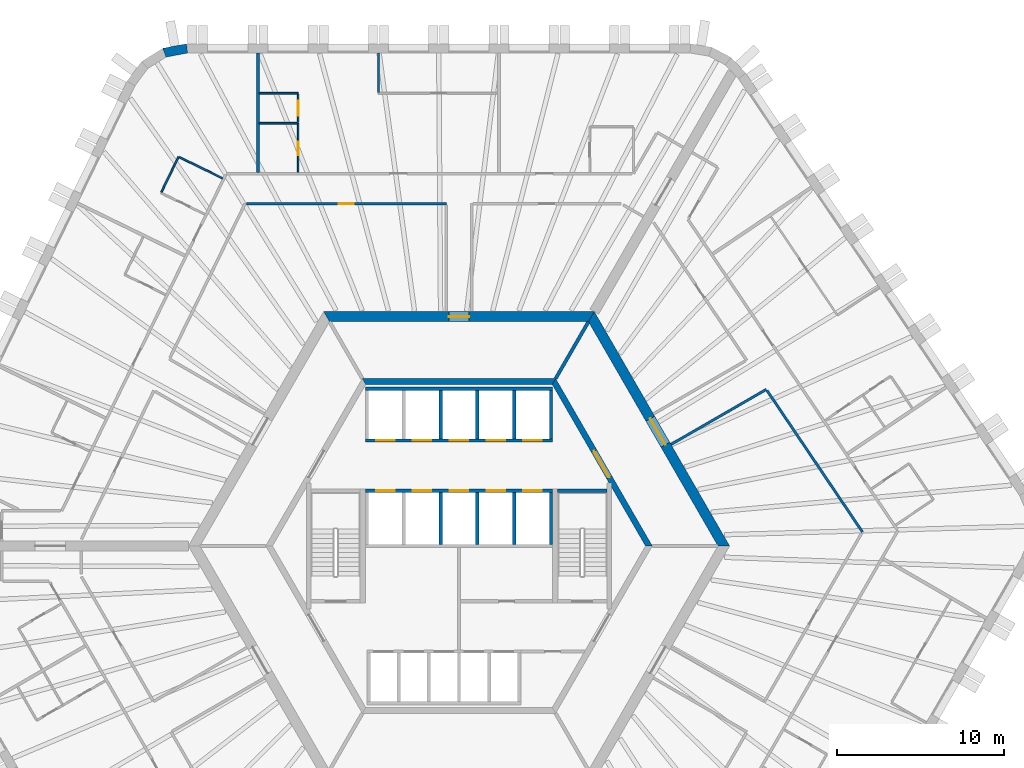
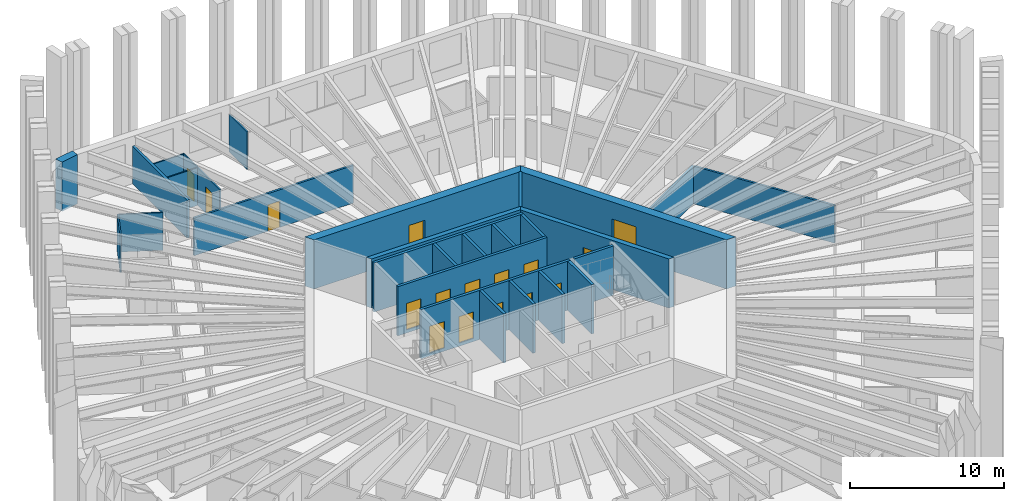
# One storey, part 8 of 12: 29 walls, 16 doors, 16 openings.
"""IFC4 building model written with IfcOpenShell, lengths in metres."""

import ifcopenshell
import ifcopenshell.guid

model = None  # the IFC model being written
_history = None  # IfcOwnerHistory: only IFC2X3 demands one
_inside = {}  # id of a spatial element -> (the spatial element, [elements in it])
_under = {}  # id of a project, library or spatial element -> (it, [spatial elements below it])
_declared = {}  # id of a project -> (the project, [libraries it declares])
_typed = {}  # id of a type object -> (the type object, [elements of that type])
_made_of = {}  # id of a material, layer set ... -> (it, [elements and type objects made of it])


def new_model(schema):
    """Start an empty IFC model of exactly this schema.

    Asked for "IFC4X3", IfcOpenShell would pick the latest addendum, in which some entities
    have other attributes; the version numbers below select the first issue.
    IFC2X3 requires an IfcOwnerHistory on every rooted entity: one is made here for all.
    """
    global model, _history
    if schema == "IFC4X3":
        model = ifcopenshell.file(schema_version=(4, 3, 0, 0))
    else:
        model = ifcopenshell.file(schema=schema)
    _inside.clear()
    _under.clear()
    _declared.clear()
    _typed.clear()
    _made_of.clear()
    _history = None
    if model.schema == "IFC2X3":
        org = make("IfcOrganization", Name="unknown")
        user = make(
            "IfcPersonAndOrganization",
            ThePerson=make("IfcPerson", FamilyName="unknown"),
            TheOrganization=org,
        )
        app = make(
            "IfcApplication",
            ApplicationDeveloper=org,
            Version="unknown",
            ApplicationFullName="unknown",
            ApplicationIdentifier="unknown",
        )
        _history = make(
            "IfcOwnerHistory",
            OwningUser=user,
            OwningApplication=app,
            ChangeAction="ADDED",
            CreationDate=0,
        )
    return model


def make(cls, **values):
    """One entity of the class cls with the attributes given. An attribute that is None is left unset."""
    return model.create_entity(
        cls, **{name: value for name, value in values.items() if value is not None}
    )


def rooted(cls, **values):
    """An entity with a GlobalId (a new one), such as an element, a storey or a relation."""
    return make(cls, GlobalId=ifcopenshell.guid.new(), OwnerHistory=_history, **values)


def si_unit(unit_type, name, prefix=None):
    """IfcSIUnit, for example si_unit("LENGTHUNIT", "METRE", prefix="MILLI")."""
    return make("IfcSIUnit", UnitType=unit_type, Prefix=prefix, Name=name)


def assignment(units):
    """IfcUnitAssignment: the units of a project."""
    return None if units is None else make("IfcUnitAssignment", Units=units)


def point(xyz):
    """IfcCartesianPoint."""
    return None if xyz is None else make("IfcCartesianPoint", Coordinates=xyz)


def direction(xyz):
    """IfcDirection."""
    return None if xyz is None else make("IfcDirection", DirectionRatios=xyz)


def frame(location, z_axis=None, x_axis=None):
    """IfcAxis2Placement3D, a coordinate frame: its origin and axes. An axis left out is left unset."""
    return make(
        "IfcAxis2Placement3D",
        Location=point(location),
        Axis=direction(z_axis),
        RefDirection=direction(x_axis),
    )


def frame_2d(location, x_axis=None):
    """IfcAxis2Placement2D, a coordinate frame in the plane: its origin and x axis."""
    return make(
        "IfcAxis2Placement2D", Location=point(location), RefDirection=direction(x_axis)
    )


def origin():
    """The frame at (0, 0, 0) with its axes left unset."""
    return frame((0.0, 0.0, 0.0))


def place(relative_to, where):
    """IfcLocalPlacement: puts the frame where relative to a parent placement (None: the world)."""
    return make(
        "IfcLocalPlacement", PlacementRelTo=relative_to, RelativePlacement=where
    )


def context(
    kind, dimensions, precision=None, world=None, true_north=None, identifier=None
):
    """IfcGeometricRepresentationContext, for example the 3D "Model" context."""
    return make(
        "IfcGeometricRepresentationContext",
        ContextIdentifier=identifier,
        ContextType=kind,
        CoordinateSpaceDimension=dimensions,
        Precision=precision,
        WorldCoordinateSystem=world,
        TrueNorth=true_north,
    )


def subcontext(parent, identifier, kind, view, scale=None):
    """IfcGeometricRepresentationSubContext, for example "Body" below "Model"."""
    return make(
        "IfcGeometricRepresentationSubContext",
        ContextIdentifier=identifier,
        ContextType=kind,
        ParentContext=parent,
        TargetScale=scale,
        TargetView=view,
    )


def project(units=None, contexts=None):
    """IfcProject with its units and contexts."""
    return rooted(
        "IfcProject",
        Name="project",
        RepresentationContexts=contexts,
        UnitsInContext=assignment(units),
    )


def spatial(cls, under=None, at=None, **own):
    """A site, building, storey or space (cls), placed at a placement, below another one or the project."""
    s = rooted(cls, ObjectPlacement=at, **own)
    if under is not None:
        _under.setdefault(under.id(), (under, []))[1].append(s)
    return s


def polyline(points):
    """IfcPolyline through the points."""
    return make("IfcPolyline", Points=[point(p) for p in points])


def profile(cls, at=None, kind="AREA", **sizes):
    """A parametric profile (cls). Its sizes go by their IFC names, for example OverallWidth=200.0."""
    return make(cls, ProfileType=kind, Position=at, **sizes)


def rectangle(**sizes):
    """IfcRectangleProfileDef."""
    return profile("IfcRectangleProfileDef", **sizes)


def outline(outer, holes=None, kind="AREA"):
    """IfcArbitraryClosedProfileDef: a profile drawn as a closed curve; with holes, ...WithVoids."""
    if holes is None:
        return make("IfcArbitraryClosedProfileDef", ProfileType=kind, OuterCurve=outer)
    return make(
        "IfcArbitraryProfileDefWithVoids",
        ProfileType=kind,
        OuterCurve=outer,
        InnerCurves=holes,
    )


def extrude(swept, where, along, depth):
    """IfcExtrudedAreaSolid: the profile swept, set in the frame where, extruded along a direction by depth."""
    return make(
        "IfcExtrudedAreaSolid",
        SweptArea=swept,
        Position=where,
        ExtrudedDirection=direction(along),
        Depth=depth,
    )


def shape(context_of_items, identifier, shape_type, items):
    """IfcShapeRepresentation: the items that make up one representation, for example the "Body"."""
    return make(
        "IfcShapeRepresentation",
        ContextOfItems=context_of_items,
        RepresentationIdentifier=identifier,
        RepresentationType=shape_type,
        Items=items,
    )


def material(Name=None, Category=None):
    """IfcMaterial."""
    return make("IfcMaterial", Name=Name, Category=Category)


def layer(
    of_material, thickness, ventilated=None, Name=None, Category=None, Priority=None
):
    """IfcMaterialLayer: one layer of a wall or slab, of a material (None: an air gap)."""
    return make(
        "IfcMaterialLayer",
        Material=of_material,
        LayerThickness=thickness,
        IsVentilated=ventilated,
        Name=Name,
        Category=Category,
        Priority=Priority,
    )


def layer_set(layers, Name=None):
    """IfcMaterialLayerSet."""
    return make("IfcMaterialLayerSet", MaterialLayers=layers, LayerSetName=Name)


def made_of(thing, what):
    """Note that an element or type object is made of a material, layer set ...; save() writes the relation."""
    if what is not None:
        _made_of.setdefault(what.id(), (what, []))[1].append(thing)
    return thing


def type_object(cls, material=None, **own):
    """A type object (cls), such as IfcWallType, which elements share."""
    return made_of(rooted(cls, **own), material)


def element(
    cls,
    number,
    at=None,
    inside=None,
    cuts=None,
    type_object=None,
    material=None,
    context=None,
    identifier="Body",
    shape_type=None,
    held_by="IfcProductDefinitionShape",
    body=None,
    shapes=None,
    **own,
):
    """One element of the class cls, such as IfcWall. Its Tag is "e" and its number.

    at: its placement. inside: the storey or other place that contains it. cuts: it is an
    opening in that element (IfcRelVoidsElement). A single representation is given by context,
    identifier, shape_type and body (its items); several are given by shapes. held_by: the class
    of the entity that holds the representations. save() writes the other relations.
    """
    e = rooted(cls, Tag="e%d" % number, ObjectPlacement=at, **own)
    if body is not None:
        shapes = [shape(context, identifier, shape_type, body)]
    if shapes is not None:
        e.Representation = make(held_by, Representations=shapes)
    if inside is not None:
        _inside.setdefault(inside.id(), (inside, []))[1].append(e)
    if cuts is not None:
        rooted(
            "IfcRelVoidsElement", RelatingBuildingElement=cuts, RelatedOpeningElement=e
        )
    if type_object is not None:
        _typed.setdefault(type_object.id(), (type_object, []))[1].append(e)
    return made_of(e, material)


def fill(opening, filler):
    """IfcRelFillsElement: the door or window that sits in an opening."""
    return rooted(
        "IfcRelFillsElement",
        RelatingOpeningElement=opening,
        RelatedBuildingElement=filler,
    )


def aggregate(whole, parts):
    """IfcRelAggregates: a whole, such as a stair, and the parts it consists of."""
    return rooted("IfcRelAggregates", RelatingObject=whole, RelatedObjects=parts)


def save(model, path):
    """Write the relations noted so far, then the file.

    IfcRelAggregates (storeys below a building ...), IfcRelContainedInSpatialStructure (elements
    in a storey), IfcRelDefinesByType, IfcRelAssociatesMaterial and IfcRelDeclares: one each for
    every whole, place, type object, material and project.
    """
    for whole, parts in _under.values():
        aggregate(whole, parts)
    for where, things in _inside.values():
        rooted(
            "IfcRelContainedInSpatialStructure",
            RelatedElements=things,
            RelatingStructure=where,
        )
    for kind, things in _typed.values():
        rooted("IfcRelDefinesByType", RelatedObjects=things, RelatingType=kind)
    for what, things in _made_of.values():
        rooted("IfcRelAssociatesMaterial", RelatedObjects=things, RelatingMaterial=what)
    for by, libraries in _declared.values():
        rooted("IfcRelDeclares", RelatingContext=by, RelatedDefinitions=libraries)
    model.write(path)


model = new_model("IFC4")

# Units and contexts
model_context = context("Model", 3, precision=1e-05, world=origin(), true_north=direction((0.0, 1.0)))
body_context = subcontext(model_context, "Body", "Model", "MODEL_VIEW")
ifc_project = project(units=[si_unit("LENGTHUNIT", "METRE"), si_unit("AREAUNIT", "SQUARE_METRE"), si_unit("VOLUMEUNIT", "CUBIC_METRE"), si_unit("PLANEANGLEUNIT", "RADIAN"), si_unit("MASSUNIT", "GRAM", prefix="KILO")], contexts=[model_context])

# Site, building, storey
site_placement = place(None, origin())
site = spatial("IfcSite", under=ifc_project, at=site_placement, CompositionType="ELEMENT")
building_placement = place(site_placement, origin())
building = spatial("IfcBuilding", under=site, at=building_placement, Name="Tarnside Tower", CompositionType="ELEMENT")
storey_placement = place(building_placement, frame((0.0, 0.0, 99.89990234375)))
storey = spatial("IfcBuildingStorey", under=building, at=storey_placement, Name="L22", CompositionType="ELEMENT", Elevation=99.89990234375)

# Wall, opening, door
ifc_material_1 = material(Name="Gypsum board partition on steel studs", Category="steel")
ifc_layer_1 = layer(ifc_material_1, 0.10009765625)
ifc_layer_set_1 = layer_set([ifc_layer_1], Name="Bathroom wall 100")
wall_type_1 = type_object("IfcWallType", Name="Bathroom wall 100", PredefinedType="PARTITIONING", material=ifc_layer_set_1)
wall_1_placement = place(storey_placement, frame((-9.611083984375, 25.25, 0.0), z_axis=(0.0, 0.0, 1.0), x_axis=(0.0, -1.0, 0.0)))
wall_1 = element("IfcWall", 1, at=wall_1_placement, inside=storey, type_object=wall_type_1, Name="Bathroom wall 07081", PredefinedType="PARTITIONING", context=body_context, shape_type="SweptSolid", body=[
    extrude(rectangle(XDim=2.925048828125, YDim=0.10009765625, at=frame_2d((1.46240234375, 0.0))), origin(), (0.0, 0.0, 1.0), 2.98779296875),
])
opening_1_placement = place(wall_1_placement, frame((1.10009765625, 0.0, 0.0)))
opening_1 = element("IfcOpeningElement", 2, at=opening_1_placement, cuts=wall_1, Name="Opening D-B1", PredefinedType="OPENING", context=body_context, shape_type="SweptSolid", body=[
    extrude(rectangle(XDim=0.800048828125, YDim=2.10009765625, at=frame_2d((0.39990234375, 1.050048828125))), frame((0.0, 0.06005859375, 0.0), z_axis=(0.0, -1.0, 0.0), x_axis=(1.0, 0.0, 0.0)), (0.0, 0.0, 1.0), 0.1201171875),
])
ifc_material_2 = material(Name="Timber door leaf", Category="wood")
door_type_1 = type_object("IfcDoorType", Name="Bathroom door 800", OperationType="NOTDEFINED", PredefinedType="DOOR", material=ifc_material_2)
door_1_placement = place(opening_1_placement, origin())
door_1 = element("IfcDoor", 3, at=door_1_placement, inside=storey, type_object=door_type_1, Name="Bathroom door 07004", OperationType="SINGLE_SWING_LEFT", OverallHeight=2.10009765625, OverallWidth=0.800048828125, PredefinedType="DOOR", context=body_context, shape_type="SweptSolid", body=[
    extrude(rectangle(XDim=0.800048828125, YDim=2.10009765625, at=frame_2d((0.39990234375, 1.050048828125))), frame((0.0, 0.02490234375, 0.0), z_axis=(0.0, -1.0, 0.0), x_axis=(1.0, 0.0, 0.0)), (0.0, 0.0, 1.0), 0.050048828125),
])
fill(opening_1, door_1)

# Walls
wall_2_placement = place(storey_placement, frame((-9.6611328125, 25.25, 0.0), z_axis=(0.0, 0.0, 1.0), x_axis=(-1.0, 0.0, 0.0)))
element("IfcWall", 4, at=wall_2_placement, inside=storey, type_object=wall_type_1, Name="Bathroom wall 07087", PredefinedType="PARTITIONING", context=body_context, shape_type="SweptSolid", body=[
    extrude(rectangle(XDim=2.260009765625, YDim=0.10009765625, at=frame_2d((1.1298828125, 0.0))), origin(), (0.0, 0.0, 1.0), 2.98779296875),
])
wall_3_placement = place(storey_placement, frame((-17.783203125, 21.138427734375, 0.0), z_axis=(0.0, 0.0, 1.0), x_axis=(0.438339704034, 0.898809381275, 0.0)))
element("IfcWall", 5, at=wall_3_placement, inside=storey, type_object=wall_type_1, Name="Bathroom wall 07091", PredefinedType="PARTITIONING", context=body_context, shape_type="SweptSolid", body=[
    extrude(rectangle(XDim=2.349853515625, YDim=0.10009765625, at=frame_2d((1.1748046875, 0.0))), origin(), (0.0, 0.0, 1.0), 2.98779296875),
])
wall_4_placement = place(storey_placement, frame((-16.708251953125, 23.228515625, 0.0), z_axis=(0.0, 0.0, 1.0), x_axis=(0.898799457159, -0.438360052708, 0.0)))
element("IfcWall", 6, at=wall_4_placement, inside=storey, type_object=wall_type_1, Name="Bathroom wall 07092", PredefinedType="PARTITIONING", context=body_context, shape_type="SweptSolid", body=[
    extrude(rectangle(XDim=2.875, YDim=0.10009765625, at=frame_2d((1.4375, 0.0))), origin(), (0.0, 0.0, 1.0), 2.98779296875),
])

# Wall, opening, door
ifc_material_3 = material(Name="Concrete C50/60", Category="concrete")
ifc_layer_2 = layer(ifc_material_3, 0.35009765625)
ifc_layer_set_2 = layer_set([ifc_layer_2], Name="Core block wall 350 C50/60")
wall_type_2 = type_object("IfcWallType", Name="Core block wall 350 C50/60", PredefinedType="SHEAR", material=ifc_layer_set_2)
wall_5_placement = place(storey_placement, frame((11.344970703125, 0.0, -0.14990234375), z_axis=(0.0, 0.0, 1.0), x_axis=(-0.499995046907, 0.866028263435, 0.0)))
wall_5 = element("IfcWall", 7, at=wall_5_placement, inside=storey, type_object=wall_type_2, Name="L22 core block wall face 6", PredefinedType="SHEAR", context=body_context, shape_type="SweptSolid", body=[
    extrude(outline(polyline([(-0.10107421875, -0.175048828125), (11.44580078125, -0.175048828125), (11.24365234375, 0.175048828125), (0.10107421875, 0.175048828125), (-0.10107421875, -0.175048828125)])), origin(), (0.0, 0.0, 1.0), 3.89990234375),
])
opening_2_placement = place(wall_5_placement, frame((4.74365234375, 0.0, 0.14990234375)))
opening_2 = element("IfcOpeningElement", 8, at=opening_2_placement, cuts=wall_5, Name="Opening CD-LOB", PredefinedType="OPENING", context=body_context, shape_type="SweptSolid", body=[
    extrude(rectangle(XDim=1.800048828125, YDim=2.39990234375, at=frame_2d((0.89990234375, 1.199951171875))), frame((0.0, 0.18505859375, 0.0), z_axis=(0.0, -1.0, 0.0), x_axis=(1.0, 0.0, 0.0)), (0.0, 0.0, 1.0), 0.3701171875),
])
ifc_material_4 = material(Name="Steel fire door", Category="steel")
door_type_2 = type_object("IfcDoorType", Name="Lobby double door FD30S 1800x2400", OperationType="NOTDEFINED", PredefinedType="DOOR", material=ifc_material_4)
door_2_placement = place(opening_2_placement, origin())
door_2 = element("IfcDoor", 9, at=door_2_placement, inside=storey, type_object=door_type_2, Name="L22 lobby block door P2", OperationType="DOUBLE_DOOR_SINGLE_SWING", OverallHeight=2.39990234375, OverallWidth=1.800048828125, PredefinedType="DOOR", context=body_context, shape_type="SweptSolid", body=[
    extrude(rectangle(XDim=1.800048828125, YDim=2.39990234375, at=frame_2d((0.89990234375, 1.199951171875))), frame((0.0, 0.02490234375, 0.0), z_axis=(0.0, -1.0, 0.0), x_axis=(1.0, 0.0, 0.0)), (0.0, 0.0, 1.0), 0.050048828125),
])
fill(opening_2, door_2)

# Wall
wall_6_placement = place(storey_placement, frame((5.672607421875, 9.824951171875, -0.14990234375), z_axis=(0.0, 0.0, 1.0), x_axis=(-1.0, 0.0, 0.0)))
element("IfcWall", 10, at=wall_6_placement, inside=storey, type_object=wall_type_2, Name="L22 core block wall face 1", PredefinedType="SHEAR", context=body_context, shape_type="SweptSolid", body=[
    extrude(outline(polyline([(-0.10107421875, -0.175048828125), (11.4462890625, -0.175048828125), (11.244140625, 0.175048828125), (0.10107421875, 0.175048828125), (-0.10107421875, -0.175048828125)])), origin(), (0.0, 0.0, 1.0), 3.89990234375),
])

# Wall, opening, door
ifc_material_5 = material(Name="Concrete C80/95", Category="concrete")
ifc_layer_3 = layer(ifc_material_5, 0.60009765625)
ifc_layer_set_3 = layer_set([ifc_layer_3], Name="Core wall Z1 600 C80/95")
wall_type_3 = type_object("IfcWallType", Name="Core wall Z1 600 C80/95", PredefinedType="SHEAR", material=ifc_layer_set_3)
wall_7_placement = place(storey_placement, frame((15.8193359375, 0.0, -0.14990234375), z_axis=(0.0, 0.0, 1.0), x_axis=(-0.499999880136, 0.866025472988, 0.0)))
wall_7 = element("IfcWall", 11, at=wall_7_placement, inside=storey, type_object=wall_type_3, Name="L22 core wall face 6", PredefinedType="SHEAR", context=body_context, shape_type="SweptSolid", body=[
    extrude(outline(polyline([(-0.17333984375, -0.300048828125), (15.99267578125, -0.300048828125), (15.64599609375, 0.300048828125), (0.17333984375, 0.300048828125), (-0.17333984375, -0.300048828125)])), origin(), (0.0, 0.0, 1.0), 3.89990234375),
])
opening_3_placement = place(wall_7_placement, frame((6.980712890625, 0.0, 0.14990234375)))
opening_3 = element("IfcOpeningElement", 12, at=opening_3_placement, cuts=wall_7, Name="Opening CD-LOB", PredefinedType="OPENING", context=body_context, shape_type="SweptSolid", body=[
    extrude(rectangle(XDim=1.800048828125, YDim=2.39990234375, at=frame_2d((0.89990234375, 1.199951171875))), frame((0.0, 0.31005859375, 0.0), z_axis=(0.0, -1.0, 0.0), x_axis=(1.0, 0.0, 0.0)), (0.0, 0.0, 1.0), 0.6201171875),
])
door_3_placement = place(opening_3_placement, origin())
door_3 = element("IfcDoor", 13, at=door_3_placement, inside=storey, type_object=door_type_2, Name="L22 core door P2", OperationType="DOUBLE_DOOR_SINGLE_SWING", OverallHeight=2.39990234375, OverallWidth=1.800048828125, PredefinedType="DOOR", context=body_context, shape_type="SweptSolid", body=[
    extrude(rectangle(XDim=1.800048828125, YDim=2.39990234375, at=frame_2d((0.89990234375, 1.199951171875))), frame((0.0, 0.02490234375, 0.0), z_axis=(0.0, -1.0, 0.0), x_axis=(1.0, 0.0, 0.0)), (0.0, 0.0, 1.0), 0.050048828125),
])
fill(opening_3, door_3)

wall_8_placement = place(storey_placement, frame((7.90966796875, 13.699951171875, -0.14990234375), z_axis=(0.0, 0.0, 1.0), x_axis=(-1.0, 0.0, 0.0)))
wall_8 = element("IfcWall", 14, at=wall_8_placement, inside=storey, type_object=wall_type_3, Name="L22 core wall face 1", PredefinedType="SHEAR", context=body_context, shape_type="SweptSolid", body=[
    extrude(outline(polyline([(-0.17333984375, -0.300048828125), (15.99267578125, -0.300048828125), (15.64599609375, 0.300048828125), (0.17333984375, 0.300048828125), (-0.17333984375, -0.300048828125)])), origin(), (0.0, 0.0, 1.0), 3.89990234375),
])
opening_4_placement = place(wall_8_placement, frame((7.309814453125, 0.0, 0.14990234375)))
opening_4 = element("IfcOpeningElement", 15, at=opening_4_placement, cuts=wall_8, Name="Opening CD-RSR", PredefinedType="OPENING", context=body_context, shape_type="SweptSolid", body=[
    extrude(rectangle(XDim=1.199951171875, YDim=2.39990234375, at=frame_2d((0.60009765625, 1.199951171875))), frame((0.0, 0.31005859375, 0.0), z_axis=(0.0, -1.0, 0.0), x_axis=(1.0, 0.0, 0.0)), (0.0, 0.0, 1.0), 0.6201171875),
])
door_type_3 = type_object("IfcDoorType", Name="Riser door FD60 1200x2400", OperationType="NOTDEFINED", PredefinedType="DOOR", material=ifc_material_4)
door_4_placement = place(opening_4_placement, origin())
door_4 = element("IfcDoor", 16, at=door_4_placement, inside=storey, type_object=door_type_3, Name="L22 core door S5", OperationType="SINGLE_SWING_LEFT", OverallHeight=2.39990234375, OverallWidth=1.199951171875, PredefinedType="DOOR", context=body_context, shape_type="SweptSolid", body=[
    extrude(rectangle(XDim=1.199951171875, YDim=2.39990234375, at=frame_2d((0.60009765625, 1.199951171875))), frame((0.0, 0.02490234375, 0.0), z_axis=(0.0, -1.0, 0.0), x_axis=(1.0, 0.0, 0.0)), (0.0, 0.0, 1.0), 0.050048828125),
])
fill(opening_4, door_4)

ifc_layer_4 = layer(ifc_material_1, 0.14990234375)
ifc_layer_set_4 = layer_set([ifc_layer_4], Name="Corridor wall 150 EI 60")
wall_type_4 = type_object("IfcWallType", Name="Corridor wall 150 EI 60", PredefinedType="PARTITIONING", material=ifc_layer_set_4)
wall_9_placement = place(storey_placement, frame((-12.695068359375, 20.449951171875, 0.0), z_axis=(0.0, 0.0, 1.0), x_axis=(1.0, 0.0, 0.0)))
wall_9 = element("IfcWall", 17, at=wall_9_placement, inside=storey, type_object=wall_type_4, Name="Corridor wall 07020", PredefinedType="PARTITIONING", context=body_context, shape_type="SweptSolid", body=[
    extrude(rectangle(XDim=11.945068359375, YDim=0.14990234375, at=frame_2d((5.97265625, 0.0))), origin(), (0.0, 0.0, 1.0), 2.98779296875),
])
opening_5_placement = place(wall_9_placement, frame((5.5224609375, 0.0, 0.0)))
opening_5 = element("IfcOpeningElement", 18, at=opening_5_placement, cuts=wall_9, Name="Opening D-S1", PredefinedType="OPENING", context=body_context, shape_type="SweptSolid", body=[
    extrude(rectangle(XDim=0.89990234375, YDim=2.10009765625, at=frame_2d((0.449951171875, 1.050048828125))), frame((0.0, 0.0849609375, 0.0), z_axis=(0.0, -1.0, 0.0), x_axis=(1.0, 0.0, 0.0)), (0.0, 0.0, 1.0), 0.169921875),
])
door_type_4 = type_object("IfcDoorType", Name="Service room door 900 FD30S", OperationType="NOTDEFINED", PredefinedType="DOOR", material=ifc_material_2)
door_5_placement = place(opening_5_placement, origin())
door_5 = element("IfcDoor", 19, at=door_5_placement, inside=storey, type_object=door_type_4, Name="Service door 07042", OperationType="SINGLE_SWING_RIGHT", OverallHeight=2.10009765625, OverallWidth=0.89990234375, PredefinedType="DOOR", context=body_context, shape_type="SweptSolid", body=[
    extrude(rectangle(XDim=0.89990234375, YDim=2.10009765625, at=frame_2d((0.449951171875, 1.050048828125))), frame((0.0, 0.02490234375, 0.0), z_axis=(0.0, -1.0, 0.0), x_axis=(1.0, 0.0, 0.0)), (0.0, 0.0, 1.0), 0.050048828125),
])
fill(opening_5, door_5)

# Walls
wall_10_placement = place(storey_placement, frame((12.663818359375, 6.065673828125, 0.0), z_axis=(0.0, 0.0, 1.0), x_axis=(0.866027295802, 0.499996722915, 0.0)))
element("IfcWall", 20, at=wall_10_placement, inside=storey, type_object=wall_type_4, Name="Corridor wall 07067", PredefinedType="PARTITIONING", context=body_context, shape_type="SweptSolid", body=[
    extrude(rectangle(XDim=6.5751953125, YDim=0.14990234375, at=frame_2d((3.28759765625, 0.0))), origin(), (0.0, 0.0, 1.0), 2.98779296875),
])
wall_11_placement = place(storey_placement, frame((18.400390625, 9.291015625, 0.0), z_axis=(0.0, 0.0, 1.0), x_axis=(0.559191829043, -0.829038297265, 0.0)))
element("IfcWall", 21, at=wall_11_placement, inside=storey, type_object=wall_type_4, Name="Corridor wall 07068", PredefinedType="PARTITIONING", context=body_context, shape_type="SweptSolid", body=[
    extrude(rectangle(XDim=10.19189453125, YDim=0.14990234375, at=frame_2d((5.095947265625, 0.0))), origin(), (0.0, 0.0, 1.0), 2.98779296875),
])
ifc_layer_5 = layer(ifc_material_1, 0.179931640625)
ifc_layer_set_5 = layer_set([ifc_layer_5], Name="Demising wall 180 EI 60")
wall_type_5 = type_object("IfcWallType", Name="Demising wall 180 EI 60", PredefinedType="PARTITIONING", material=ifc_layer_set_5)
wall_12_placement = place(storey_placement, frame((-12.010986328125, 29.449951171875, 0.0), z_axis=(0.0, 0.0, 1.0), x_axis=(0.0, -1.0, 0.0)))
element("IfcWall", 22, at=wall_12_placement, inside=storey, type_object=wall_type_5, Name="Demising wall 07086", PredefinedType="PARTITIONING", context=body_context, shape_type="SweptSolid", body=[
    extrude(rectangle(XDim=7.125, YDim=0.179931640625, at=frame_2d((3.5625, 0.0))), origin(), (0.0, 0.0, 1.0), 2.98779296875),
])

# Wall, openings, doors
ifc_material_6 = material(Name="Concrete C40/50", Category="concrete")
ifc_layer_6 = layer(ifc_material_6, 0.199951171875)
ifc_layer_set_6 = layer_set([ifc_layer_6], Name="Lift shaft wall 200 C40/50")
wall_type_6 = type_object("IfcWallType", Name="Lift shaft wall 200 C40/50", PredefinedType="SHEAR", material=ifc_layer_set_6)
wall_13_placement = place(storey_placement, frame((-5.60009765625, 6.300048828125, -0.25), z_axis=(0.0, 0.0, 1.0), x_axis=(1.0, 0.0, 0.0)))
wall_13 = element("IfcWall", 23, at=wall_13_placement, inside=storey, type_object=wall_type_6, Name="L22 lift shaft front wall R1", PredefinedType="SHEAR", context=body_context, shape_type="SweptSolid", body=[
    extrude(rectangle(XDim=11.2001953125, YDim=0.199951171875, at=frame_2d((5.60009765625, 0.0))), origin(), (0.0, 0.0, 1.0), 3.900146484375),
])
opening_6_placement = place(wall_13_placement, frame((0.64990234375, 0.0, 0.25)))
opening_6 = element("IfcOpeningElement", 24, at=opening_6_placement, cuts=wall_13, Name="Opening LD", PredefinedType="OPENING", context=body_context, shape_type="SweptSolid", body=[
    extrude(rectangle(XDim=1.10009765625, YDim=2.10009765625, at=frame_2d((0.550048828125, 1.050048828125))), frame((0.0, 0.10986328125, 0.0), z_axis=(0.0, -1.0, 0.0), x_axis=(1.0, 0.0, 0.0)), (0.0, 0.0, 1.0), 0.219970703125),
])
opening_7_placement = place(wall_13_placement, frame((2.85009765625, 0.0, 0.25)))
opening_7 = element("IfcOpeningElement", 25, at=opening_7_placement, cuts=wall_13, Name="Opening LD", PredefinedType="OPENING", context=body_context, shape_type="SweptSolid", body=[
    extrude(rectangle(XDim=1.10009765625, YDim=2.10009765625, at=frame_2d((0.550048828125, 1.050048828125))), frame((0.0, 0.10986328125, 0.0), z_axis=(0.0, -1.0, 0.0), x_axis=(1.0, 0.0, 0.0)), (0.0, 0.0, 1.0), 0.219970703125),
])
opening_8_placement = place(wall_13_placement, frame((5.050048828125, 0.0, 0.25)))
opening_8 = element("IfcOpeningElement", 26, at=opening_8_placement, cuts=wall_13, Name="Opening LD", PredefinedType="OPENING", context=body_context, shape_type="SweptSolid", body=[
    extrude(rectangle(XDim=1.10009765625, YDim=2.10009765625, at=frame_2d((0.550048828125, 1.050048828125))), frame((0.0, 0.10986328125, 0.0), z_axis=(0.0, -1.0, 0.0), x_axis=(1.0, 0.0, 0.0)), (0.0, 0.0, 1.0), 0.219970703125),
])
opening_9_placement = place(wall_13_placement, frame((7.25, 0.0, 0.25)))
opening_9 = element("IfcOpeningElement", 27, at=opening_9_placement, cuts=wall_13, Name="Opening LD", PredefinedType="OPENING", context=body_context, shape_type="SweptSolid", body=[
    extrude(rectangle(XDim=1.10009765625, YDim=2.10009765625, at=frame_2d((0.550048828125, 1.050048828125))), frame((0.0, 0.10986328125, 0.0), z_axis=(0.0, -1.0, 0.0), x_axis=(1.0, 0.0, 0.0)), (0.0, 0.0, 1.0), 0.219970703125),
])
opening_10_placement = place(wall_13_placement, frame((9.449951171875, 0.0, 0.25)))
opening_10 = element("IfcOpeningElement", 28, at=opening_10_placement, cuts=wall_13, Name="Opening LD", PredefinedType="OPENING", context=body_context, shape_type="SweptSolid", body=[
    extrude(rectangle(XDim=1.10009765625, YDim=2.10009765625, at=frame_2d((0.550048828125, 1.050048828125))), frame((0.0, 0.10986328125, 0.0), z_axis=(0.0, -1.0, 0.0), x_axis=(1.0, 0.0, 0.0)), (0.0, 0.0, 1.0), 0.219970703125),
])
ifc_material_7 = material(Name="Stainless steel", Category="steel")
door_type_5 = type_object("IfcDoorType", Name="Lift landing door 1100x2100", OperationType="NOTDEFINED", PredefinedType="DOOR", material=ifc_material_7)
door_6_placement = place(opening_6_placement, origin())
door_6 = element("IfcDoor", 29, at=door_6_placement, inside=storey, type_object=door_type_5, Name="Low-rise lift 1 landing door L22", OperationType="SLIDING_TO_LEFT", OverallHeight=2.10009765625, OverallWidth=1.10009765625, PredefinedType="DOOR", context=body_context, shape_type="SweptSolid", body=[
    extrude(rectangle(XDim=1.10009765625, YDim=2.10009765625, at=frame_2d((0.550048828125, 1.050048828125))), frame((0.0, 0.02490234375, 0.0), z_axis=(0.0, -1.0, 0.0), x_axis=(1.0, 0.0, 0.0)), (0.0, 0.0, 1.0), 0.050048828125),
])
fill(opening_6, door_6)
door_7_placement = place(opening_7_placement, origin())
door_7 = element("IfcDoor", 30, at=door_7_placement, inside=storey, type_object=door_type_5, Name="Low-rise lift 2 landing door L22", OperationType="SLIDING_TO_LEFT", OverallHeight=2.10009765625, OverallWidth=1.10009765625, PredefinedType="DOOR", context=body_context, shape_type="SweptSolid", body=[
    extrude(rectangle(XDim=1.10009765625, YDim=2.10009765625, at=frame_2d((0.550048828125, 1.050048828125))), frame((0.0, 0.02490234375, 0.0), z_axis=(0.0, -1.0, 0.0), x_axis=(1.0, 0.0, 0.0)), (0.0, 0.0, 1.0), 0.050048828125),
])
fill(opening_7, door_7)
door_8_placement = place(opening_8_placement, origin())
door_8 = element("IfcDoor", 31, at=door_8_placement, inside=storey, type_object=door_type_5, Name="Low-rise lift 3 landing door L22", OperationType="SLIDING_TO_LEFT", OverallHeight=2.10009765625, OverallWidth=1.10009765625, PredefinedType="DOOR", context=body_context, shape_type="SweptSolid", body=[
    extrude(rectangle(XDim=1.10009765625, YDim=2.10009765625, at=frame_2d((0.550048828125, 1.050048828125))), frame((0.0, 0.02490234375, 0.0), z_axis=(0.0, -1.0, 0.0), x_axis=(1.0, 0.0, 0.0)), (0.0, 0.0, 1.0), 0.050048828125),
])
fill(opening_8, door_8)
door_9_placement = place(opening_9_placement, origin())
door_9 = element("IfcDoor", 32, at=door_9_placement, inside=storey, type_object=door_type_5, Name="Low sky-lobby shuttle 1 landing door L22", OperationType="SLIDING_TO_LEFT", OverallHeight=2.10009765625, OverallWidth=1.10009765625, PredefinedType="DOOR", context=body_context, shape_type="SweptSolid", body=[
    extrude(rectangle(XDim=1.10009765625, YDim=2.10009765625, at=frame_2d((0.550048828125, 1.050048828125))), frame((0.0, 0.02490234375, 0.0), z_axis=(0.0, -1.0, 0.0), x_axis=(1.0, 0.0, 0.0)), (0.0, 0.0, 1.0), 0.050048828125),
])
fill(opening_9, door_9)
door_10_placement = place(opening_10_placement, origin())
door_10 = element("IfcDoor", 33, at=door_10_placement, inside=storey, type_object=door_type_5, Name="Low sky-lobby shuttle 2 landing door L22", OperationType="SLIDING_TO_LEFT", OverallHeight=2.10009765625, OverallWidth=1.10009765625, PredefinedType="DOOR", context=body_context, shape_type="SweptSolid", body=[
    extrude(rectangle(XDim=1.10009765625, YDim=2.10009765625, at=frame_2d((0.550048828125, 1.050048828125))), frame((0.0, 0.02490234375, 0.0), z_axis=(0.0, -1.0, 0.0), x_axis=(1.0, 0.0, 0.0)), (0.0, 0.0, 1.0), 0.050048828125),
])
fill(opening_10, door_10)

# Walls
wall_14_placement = place(storey_placement, frame((-5.60009765625, 9.39990234375, -0.25), z_axis=(0.0, 0.0, 1.0), x_axis=(1.0, 0.0, 0.0)))
element("IfcWall", 34, at=wall_14_placement, inside=storey, type_object=wall_type_6, Name="L22 lift shaft back wall R1", PredefinedType="SHEAR", context=body_context, shape_type="SweptSolid", body=[
    extrude(rectangle(XDim=11.2001953125, YDim=0.199951171875, at=frame_2d((5.60009765625, 0.0))), origin(), (0.0, 0.0, 1.0), 3.900146484375),
])
for number, where, z_axis, x_axis, name in (
    (35, (-1.10009765625, 6.39990234375, -0.25), (0.0, 0.0, 1.0), (0.0, 1.0, 0.0), "L22 lift shaft partition R13"),
    (36, (1.10009765625, 6.39990234375, -0.25), (0.0, 0.0, 1.0), (0.0, 1.0, 0.0), "L22 lift shaft partition R14"),
    (37, (3.300048828125, 6.39990234375, -0.25), (0.0, 0.0, 1.0), (0.0, 1.0, 0.0), "L22 lift shaft partition R15"),
    (38, (5.5, 6.39990234375, -0.25), (0.0, 0.0, 1.0), (0.0, 1.0, 0.0), "L22 lift shaft partition R16"),
):
    element("IfcWall", number, at=place(storey_placement, frame(where, z_axis=z_axis, x_axis=x_axis)), inside=storey, type_object=wall_type_6, Name=name, PredefinedType="SHEAR", context=body_context, shape_type="SweptSolid", body=[
        extrude(rectangle(XDim=2.900146484375, YDim=0.199951171875, at=frame_2d((1.4501953125, 0.0))), origin(), (0.0, 0.0, 1.0), 3.900146484375),
    ])

# Wall, openings, doors
wall_15_placement = place(storey_placement, frame((-5.60009765625, 3.300048828125, -0.25), z_axis=(0.0, 0.0, 1.0), x_axis=(1.0, 0.0, 0.0)))
wall_15 = element("IfcWall", 39, at=wall_15_placement, inside=storey, type_object=wall_type_6, Name="L22 lift shaft front wall R2", PredefinedType="SHEAR", context=body_context, shape_type="SweptSolid", body=[
    extrude(rectangle(XDim=11.2001953125, YDim=0.199951171875, at=frame_2d((5.60009765625, 0.0))), origin(), (0.0, 0.0, 1.0), 3.900146484375),
])
opening_11_placement = place(wall_15_placement, frame((0.64990234375, 0.0, 0.25)))
opening_11 = element("IfcOpeningElement", 40, at=opening_11_placement, cuts=wall_15, Name="Opening LD", PredefinedType="OPENING", context=body_context, shape_type="SweptSolid", body=[
    extrude(rectangle(XDim=1.10009765625, YDim=2.10009765625, at=frame_2d((0.550048828125, 1.050048828125))), frame((0.0, 0.10986328125, 0.0), z_axis=(0.0, -1.0, 0.0), x_axis=(1.0, 0.0, 0.0)), (0.0, 0.0, 1.0), 0.219970703125),
])
opening_12_placement = place(wall_15_placement, frame((2.85009765625, 0.0, 0.25)))
opening_12 = element("IfcOpeningElement", 41, at=opening_12_placement, cuts=wall_15, Name="Opening LD", PredefinedType="OPENING", context=body_context, shape_type="SweptSolid", body=[
    extrude(rectangle(XDim=1.10009765625, YDim=2.10009765625, at=frame_2d((0.550048828125, 1.050048828125))), frame((0.0, 0.10986328125, 0.0), z_axis=(0.0, -1.0, 0.0), x_axis=(1.0, 0.0, 0.0)), (0.0, 0.0, 1.0), 0.219970703125),
])
opening_13_placement = place(wall_15_placement, frame((5.050048828125, 0.0, 0.25)))
opening_13 = element("IfcOpeningElement", 42, at=opening_13_placement, cuts=wall_15, Name="Opening LD", PredefinedType="OPENING", context=body_context, shape_type="SweptSolid", body=[
    extrude(rectangle(XDim=1.10009765625, YDim=2.10009765625, at=frame_2d((0.550048828125, 1.050048828125))), frame((0.0, 0.10986328125, 0.0), z_axis=(0.0, -1.0, 0.0), x_axis=(1.0, 0.0, 0.0)), (0.0, 0.0, 1.0), 0.219970703125),
])
opening_14_placement = place(wall_15_placement, frame((7.25, 0.0, 0.25)))
opening_14 = element("IfcOpeningElement", 43, at=opening_14_placement, cuts=wall_15, Name="Opening LD", PredefinedType="OPENING", context=body_context, shape_type="SweptSolid", body=[
    extrude(rectangle(XDim=1.10009765625, YDim=2.10009765625, at=frame_2d((0.550048828125, 1.050048828125))), frame((0.0, 0.10986328125, 0.0), z_axis=(0.0, -1.0, 0.0), x_axis=(1.0, 0.0, 0.0)), (0.0, 0.0, 1.0), 0.219970703125),
])
opening_15_placement = place(wall_15_placement, frame((9.449951171875, 0.0, 0.25)))
opening_15 = element("IfcOpeningElement", 44, at=opening_15_placement, cuts=wall_15, Name="Opening LD", PredefinedType="OPENING", context=body_context, shape_type="SweptSolid", body=[
    extrude(rectangle(XDim=1.10009765625, YDim=2.10009765625, at=frame_2d((0.550048828125, 1.050048828125))), frame((0.0, 0.10986328125, 0.0), z_axis=(0.0, -1.0, 0.0), x_axis=(1.0, 0.0, 0.0)), (0.0, 0.0, 1.0), 0.219970703125),
])
door_11_placement = place(opening_11_placement, origin())
door_11 = element("IfcDoor", 45, at=door_11_placement, inside=storey, type_object=door_type_5, Name="Low-rise lift 4 landing door L22", OperationType="SLIDING_TO_LEFT", OverallHeight=2.10009765625, OverallWidth=1.10009765625, PredefinedType="DOOR", context=body_context, shape_type="SweptSolid", body=[
    extrude(rectangle(XDim=1.10009765625, YDim=2.10009765625, at=frame_2d((0.550048828125, 1.050048828125))), frame((0.0, 0.02490234375, 0.0), z_axis=(0.0, -1.0, 0.0), x_axis=(1.0, 0.0, 0.0)), (0.0, 0.0, 1.0), 0.050048828125),
])
fill(opening_11, door_11)
door_12_placement = place(opening_12_placement, origin())
door_12 = element("IfcDoor", 46, at=door_12_placement, inside=storey, type_object=door_type_5, Name="Low-rise lift 5 landing door L22", OperationType="SLIDING_TO_LEFT", OverallHeight=2.10009765625, OverallWidth=1.10009765625, PredefinedType="DOOR", context=body_context, shape_type="SweptSolid", body=[
    extrude(rectangle(XDim=1.10009765625, YDim=2.10009765625, at=frame_2d((0.550048828125, 1.050048828125))), frame((0.0, 0.02490234375, 0.0), z_axis=(0.0, -1.0, 0.0), x_axis=(1.0, 0.0, 0.0)), (0.0, 0.0, 1.0), 0.050048828125),
])
fill(opening_12, door_12)
door_13_placement = place(opening_13_placement, origin())
door_13 = element("IfcDoor", 47, at=door_13_placement, inside=storey, type_object=door_type_5, Name="Low-rise lift 6 landing door L22", OperationType="SLIDING_TO_LEFT", OverallHeight=2.10009765625, OverallWidth=1.10009765625, PredefinedType="DOOR", context=body_context, shape_type="SweptSolid", body=[
    extrude(rectangle(XDim=1.10009765625, YDim=2.10009765625, at=frame_2d((0.550048828125, 1.050048828125))), frame((0.0, 0.02490234375, 0.0), z_axis=(0.0, -1.0, 0.0), x_axis=(1.0, 0.0, 0.0)), (0.0, 0.0, 1.0), 0.050048828125),
])
fill(opening_13, door_13)
door_14_placement = place(opening_14_placement, origin())
door_14 = element("IfcDoor", 48, at=door_14_placement, inside=storey, type_object=door_type_5, Name="High sky-lobby shuttle 1 landing door L22", OperationType="SLIDING_TO_LEFT", OverallHeight=2.10009765625, OverallWidth=1.10009765625, PredefinedType="DOOR", context=body_context, shape_type="SweptSolid", body=[
    extrude(rectangle(XDim=1.10009765625, YDim=2.10009765625, at=frame_2d((0.550048828125, 1.050048828125))), frame((0.0, 0.02490234375, 0.0), z_axis=(0.0, -1.0, 0.0), x_axis=(1.0, 0.0, 0.0)), (0.0, 0.0, 1.0), 0.050048828125),
])
fill(opening_14, door_14)
door_15_placement = place(opening_15_placement, origin())
door_15 = element("IfcDoor", 49, at=door_15_placement, inside=storey, type_object=door_type_5, Name="Express sky-lobby shuttle 2 landing door L22", OperationType="SLIDING_TO_LEFT", OverallHeight=2.10009765625, OverallWidth=1.10009765625, PredefinedType="DOOR", context=body_context, shape_type="SweptSolid", body=[
    extrude(rectangle(XDim=1.10009765625, YDim=2.10009765625, at=frame_2d((0.550048828125, 1.050048828125))), frame((0.0, 0.02490234375, 0.0), z_axis=(0.0, -1.0, 0.0), x_axis=(1.0, 0.0, 0.0)), (0.0, 0.0, 1.0), 0.050048828125),
])
fill(opening_15, door_15)

# Walls
for number, where, z_axis, x_axis, name in (
    (50, (-1.10009765625, 0.10009765625, -0.25), (0.0, 0.0, 1.0), (0.0, 1.0, 0.0), "L22 lift shaft partition R23"),
    (51, (1.10009765625, 0.10009765625, -0.25), (0.0, 0.0, 1.0), (0.0, 1.0, 0.0), "L22 lift shaft partition R24"),
    (52, (3.300048828125, 0.10009765625, -0.25), (0.0, 0.0, 1.0), (0.0, 1.0, 0.0), "L22 lift shaft partition R25"),
    (53, (5.5, 0.10009765625, -0.25), (0.0, 0.0, 1.0), (0.0, 1.0, 0.0), "L22 lift shaft partition R26"),
):
    element("IfcWall", number, at=place(storey_placement, frame(where, z_axis=z_axis, x_axis=x_axis)), inside=storey, type_object=wall_type_6, Name=name, PredefinedType="SHEAR", context=body_context, shape_type="SweptSolid", body=[
        extrude(rectangle(XDim=3.099853515625, YDim=0.199951171875, at=frame_2d((1.5498046875, 0.0))), origin(), (0.0, 0.0, 1.0), 3.900146484375),
    ])
wall_16_placement = place(storey_placement, frame((5.7734375, 10.0, -0.14990234375), z_axis=(0.0, 0.0, 1.0), x_axis=(0.500038251005, 0.86600331843, 0.0)))
element("IfcWall", 54, at=wall_16_placement, inside=storey, type_object=wall_type_6, Name="L22 core partition AR60", PredefinedType="SHEAR", context=body_context, shape_type="SweptSolid", body=[
    extrude(rectangle(XDim=3.926025390625, YDim=0.199951171875, at=frame_2d((1.962890625, 0.0))), origin(), (0.0, 0.0, 1.0), 3.89990234375),
])
wall_17_placement = place(storey_placement, frame((5.89990234375, 3.300048828125, -0.25), z_axis=(0.0, 0.0, 1.0), x_axis=(1.0, 0.0, 0.0)))
element("IfcWall", 55, at=wall_17_placement, inside=storey, type_object=wall_type_6, Name="L22 stair 1 enclosure cap wall n", PredefinedType="SHEAR", context=body_context, shape_type="SweptSolid", body=[
    extrude(rectangle(XDim=2.9501953125, YDim=0.199951171875, at=frame_2d((1.47509765625, 0.0))), origin(), (0.0, 0.0, 1.0), 3.900146484375),
])
ifc_layer_7 = layer(ifc_material_1, 0.10009765625)
ifc_layer_set_7 = layer_set([ifc_layer_7], Name="Partition 100")
wall_type_7 = type_object("IfcWallType", Name="Partition 100", PredefinedType="PARTITIONING", material=ifc_layer_set_7)
wall_18_placement = place(storey_placement, frame((-11.921142578125, 27.050048828125, 0.0), z_axis=(0.0, 0.0, 1.0), x_axis=(1.0, 0.0, 0.0)))
element("IfcWall", 56, at=wall_18_placement, inside=storey, type_object=wall_type_7, Name="Partition wall 07082", PredefinedType="PARTITIONING", context=body_context, shape_type="SweptSolid", body=[
    extrude(rectangle(XDim=2.31005859375, YDim=0.10009765625, at=frame_2d((1.155029296875, 0.0))), origin(), (0.0, 0.0, 1.0), 2.98779296875),
])

# Wall, opening, door
wall_19_placement = place(storey_placement, frame((-9.611083984375, 27.0, 0.0), z_axis=(0.0, 0.0, 1.0), x_axis=(0.0, -1.0, 0.0)))
wall_19 = element("IfcWall", 57, at=wall_19_placement, inside=storey, type_object=wall_type_7, Name="Partition wall 07083", PredefinedType="PARTITIONING", context=body_context, shape_type="SweptSolid", body=[
    extrude(rectangle(XDim=1.699951171875, YDim=0.10009765625, at=frame_2d((0.85009765625, 0.0))), origin(), (0.0, 0.0, 1.0), 2.98779296875),
])
opening_16_placement = place(wall_19_placement, frame((0.39990234375, 0.0, 0.0)))
opening_16 = element("IfcOpeningElement", 58, at=opening_16_placement, cuts=wall_19, Name="Opening D-I1", PredefinedType="OPENING", context=body_context, shape_type="SweptSolid", body=[
    extrude(rectangle(XDim=0.89990234375, YDim=2.10009765625, at=frame_2d((0.449951171875, 1.050048828125))), frame((0.0, 0.06005859375, 0.0), z_axis=(0.0, -1.0, 0.0), x_axis=(1.0, 0.0, 0.0)), (0.0, 0.0, 1.0), 0.1201171875),
])
door_type_6 = type_object("IfcDoorType", Name="Internal door 900", OperationType="NOTDEFINED", PredefinedType="DOOR", material=ifc_material_2)
door_16_placement = place(opening_16_placement, origin())
door_16 = element("IfcDoor", 59, at=door_16_placement, inside=storey, type_object=door_type_6, Name="Internal door 07005", OperationType="SINGLE_SWING_LEFT", OverallHeight=2.10009765625, OverallWidth=0.89990234375, PredefinedType="DOOR", context=body_context, shape_type="SweptSolid", body=[
    extrude(rectangle(XDim=0.89990234375, YDim=2.10009765625, at=frame_2d((0.449951171875, 1.050048828125))), frame((0.0, 0.02490234375, 0.0), z_axis=(0.0, -1.0, 0.0), x_axis=(1.0, 0.0, 0.0)), (0.0, 0.0, 1.0), 0.050048828125),
])
fill(opening_16, door_16)

# Walls
wall_20_placement = place(storey_placement, frame((-4.81103515625, 27.10009765625, 0.0), z_axis=(0.0, 0.0, 1.0), x_axis=(0.0, 1.0, 0.0)))
element("IfcWall", 60, at=wall_20_placement, inside=storey, type_object=wall_type_7, Name="Partition wall 07085", PredefinedType="PARTITIONING", context=body_context, shape_type="SweptSolid", body=[
    extrude(rectangle(XDim=2.349853515625, YDim=0.10009765625, at=frame_2d((1.1748046875, 0.0))), origin(), (0.0, 0.0, 1.0), 2.98779296875),
])
ifc_material_8 = material(Name="Facing brick", Category="masonry")
ifc_layer_8 = layer(ifc_material_8, 0.10205078125)
ifc_material_9 = material(Name="Concrete C60/75 precast", Category="concrete")
ifc_layer_9 = layer(ifc_material_9, 0.347900390625)
ifc_material_10 = material(Name="Mineral wool insulation")
ifc_layer_10 = layer(ifc_material_10, 0.10009765625)
ifc_layer_set_8 = layer_set([ifc_layer_8, ifc_layer_9, ifc_layer_10], Name="Tube wall 550 brick faced")
wall_type_8 = type_object("IfcWallType", Name="Tube wall 550 brick faced", PredefinedType="SOLIDWALL", material=ifc_layer_set_8)
wall_21_placement = place(storey_placement, frame((-16.24658203125, 29.72509765625, -0.14990234375), z_axis=(0.0, 0.0, 1.0), x_axis=(-0.982705443133, -0.185175624845, 0.0)))
element("IfcWall", 61, at=wall_21_placement, inside=storey, type_object=wall_type_8, Name="Tube wall L22 F1 chord 01", PredefinedType="SOLIDWALL", context=body_context, shape_type="SweptSolid", body=[
    extrude(outline(polyline([(-0.025634765625, -0.27490234375), (1.430908203125, -0.27490234375), (1.327392578125, 0.27490234375), (0.025634765625, 0.27490234375), (-0.025634765625, -0.27490234375)])), origin(), (0.0, 0.0, 1.0), 3.89990234375),
])

save(model, "model.ifc")
